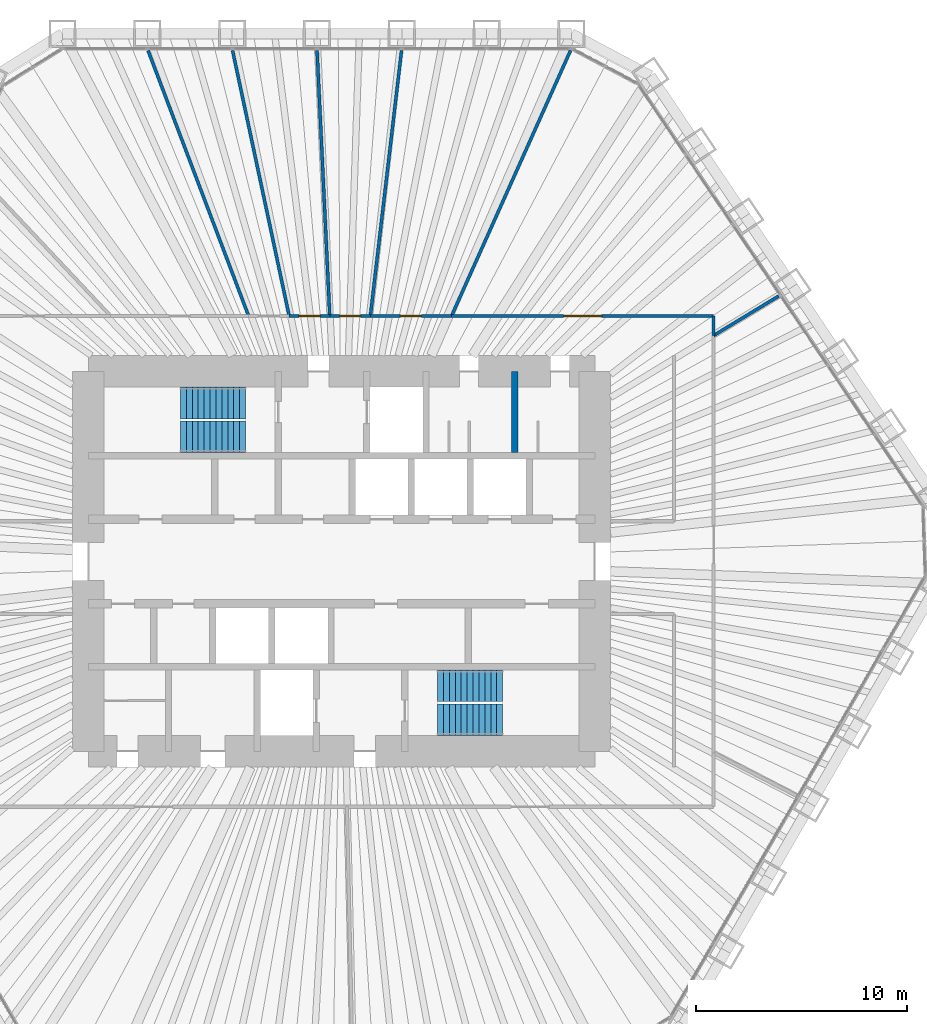
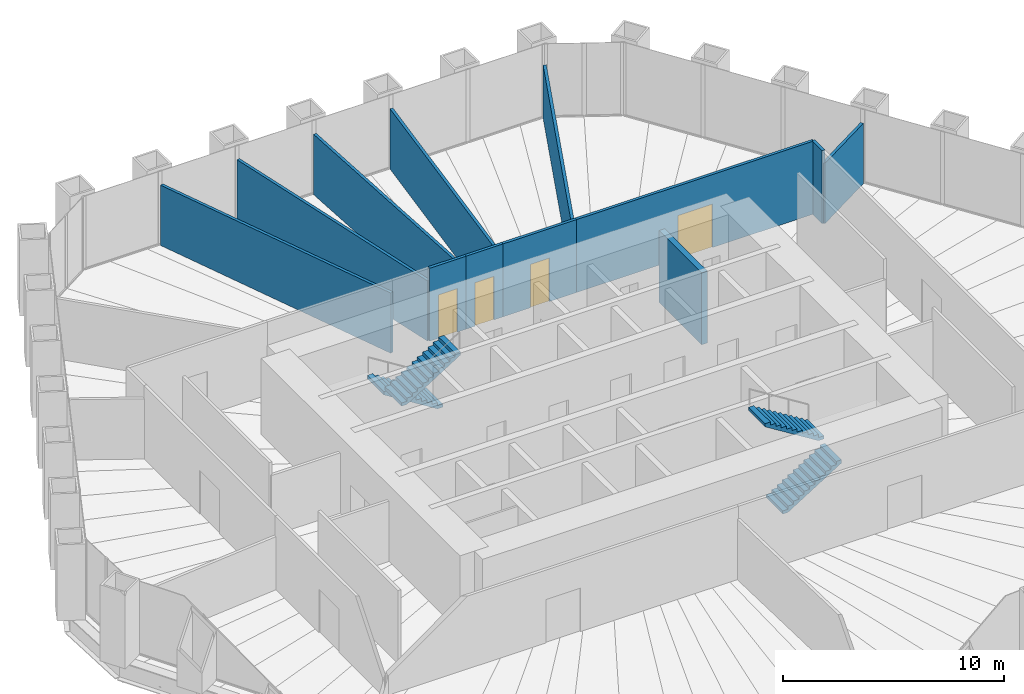
# One storey, part 12 of 13: 12 walls, 4 doors, 4 stair flights, 4 openings, 2 elements without a shape of their own.
"""IFC4 building model written with IfcOpenShell, lengths in metres."""

import ifcopenshell
import ifcopenshell.guid

model = None  # the IFC model being written
_history = None  # IfcOwnerHistory: only IFC2X3 demands one
_inside = {}  # id of a spatial element -> (the spatial element, [elements in it])
_under = {}  # id of a project, library or spatial element -> (it, [spatial elements below it])
_declared = {}  # id of a project -> (the project, [libraries it declares])
_typed = {}  # id of a type object -> (the type object, [elements of that type])
_made_of = {}  # id of a material, layer set ... -> (it, [elements and type objects made of it])


def new_model(schema):
    """Start an empty IFC model of exactly this schema.

    Asked for "IFC4X3", IfcOpenShell would pick the latest addendum, in which some entities
    have other attributes; the version numbers below select the first issue.
    IFC2X3 requires an IfcOwnerHistory on every rooted entity: one is made here for all.
    """
    global model, _history
    if schema == "IFC4X3":
        model = ifcopenshell.file(schema_version=(4, 3, 0, 0))
    else:
        model = ifcopenshell.file(schema=schema)
    _inside.clear()
    _under.clear()
    _declared.clear()
    _typed.clear()
    _made_of.clear()
    _history = None
    if model.schema == "IFC2X3":
        org = make("IfcOrganization", Name="unknown")
        user = make(
            "IfcPersonAndOrganization",
            ThePerson=make("IfcPerson", FamilyName="unknown"),
            TheOrganization=org,
        )
        app = make(
            "IfcApplication",
            ApplicationDeveloper=org,
            Version="unknown",
            ApplicationFullName="unknown",
            ApplicationIdentifier="unknown",
        )
        _history = make(
            "IfcOwnerHistory",
            OwningUser=user,
            OwningApplication=app,
            ChangeAction="ADDED",
            CreationDate=0,
        )
    return model


def make(cls, **values):
    """One entity of the class cls with the attributes given. An attribute that is None is left unset."""
    return model.create_entity(
        cls, **{name: value for name, value in values.items() if value is not None}
    )


def rooted(cls, **values):
    """An entity with a GlobalId (a new one), such as an element, a storey or a relation."""
    return make(cls, GlobalId=ifcopenshell.guid.new(), OwnerHistory=_history, **values)


def si_unit(unit_type, name, prefix=None):
    """IfcSIUnit, for example si_unit("LENGTHUNIT", "METRE", prefix="MILLI")."""
    return make("IfcSIUnit", UnitType=unit_type, Prefix=prefix, Name=name)


def assignment(units):
    """IfcUnitAssignment: the units of a project."""
    return None if units is None else make("IfcUnitAssignment", Units=units)


def point(xyz):
    """IfcCartesianPoint."""
    return None if xyz is None else make("IfcCartesianPoint", Coordinates=xyz)


def direction(xyz):
    """IfcDirection."""
    return None if xyz is None else make("IfcDirection", DirectionRatios=xyz)


def frame(location, z_axis=None, x_axis=None):
    """IfcAxis2Placement3D, a coordinate frame: its origin and axes. An axis left out is left unset."""
    return make(
        "IfcAxis2Placement3D",
        Location=point(location),
        Axis=direction(z_axis),
        RefDirection=direction(x_axis),
    )


def frame_2d(location, x_axis=None):
    """IfcAxis2Placement2D, a coordinate frame in the plane: its origin and x axis."""
    return make(
        "IfcAxis2Placement2D", Location=point(location), RefDirection=direction(x_axis)
    )


def origin():
    """The frame at (0, 0, 0) with its axes left unset."""
    return frame((0.0, 0.0, 0.0))


def place(relative_to, where):
    """IfcLocalPlacement: puts the frame where relative to a parent placement (None: the world)."""
    return make(
        "IfcLocalPlacement", PlacementRelTo=relative_to, RelativePlacement=where
    )


def context(
    kind, dimensions, precision=None, world=None, true_north=None, identifier=None
):
    """IfcGeometricRepresentationContext, for example the 3D "Model" context."""
    return make(
        "IfcGeometricRepresentationContext",
        ContextIdentifier=identifier,
        ContextType=kind,
        CoordinateSpaceDimension=dimensions,
        Precision=precision,
        WorldCoordinateSystem=world,
        TrueNorth=true_north,
    )


def subcontext(parent, identifier, kind, view, scale=None):
    """IfcGeometricRepresentationSubContext, for example "Body" below "Model"."""
    return make(
        "IfcGeometricRepresentationSubContext",
        ContextIdentifier=identifier,
        ContextType=kind,
        ParentContext=parent,
        TargetScale=scale,
        TargetView=view,
    )


def project(units=None, contexts=None):
    """IfcProject with its units and contexts."""
    return rooted(
        "IfcProject",
        Name="project",
        RepresentationContexts=contexts,
        UnitsInContext=assignment(units),
    )


def spatial(cls, under=None, at=None, **own):
    """A site, building, storey or space (cls), placed at a placement, below another one or the project."""
    s = rooted(cls, ObjectPlacement=at, **own)
    if under is not None:
        _under.setdefault(under.id(), (under, []))[1].append(s)
    return s


def polyline(points):
    """IfcPolyline through the points."""
    return make("IfcPolyline", Points=[point(p) for p in points])


def profile(cls, at=None, kind="AREA", **sizes):
    """A parametric profile (cls). Its sizes go by their IFC names, for example OverallWidth=200.0."""
    return make(cls, ProfileType=kind, Position=at, **sizes)


def rectangle(**sizes):
    """IfcRectangleProfileDef."""
    return profile("IfcRectangleProfileDef", **sizes)


def outline(outer, holes=None, kind="AREA"):
    """IfcArbitraryClosedProfileDef: a profile drawn as a closed curve; with holes, ...WithVoids."""
    if holes is None:
        return make("IfcArbitraryClosedProfileDef", ProfileType=kind, OuterCurve=outer)
    return make(
        "IfcArbitraryProfileDefWithVoids",
        ProfileType=kind,
        OuterCurve=outer,
        InnerCurves=holes,
    )


def extrude(swept, where, along, depth):
    """IfcExtrudedAreaSolid: the profile swept, set in the frame where, extruded along a direction by depth."""
    return make(
        "IfcExtrudedAreaSolid",
        SweptArea=swept,
        Position=where,
        ExtrudedDirection=direction(along),
        Depth=depth,
    )


def shape(context_of_items, identifier, shape_type, items):
    """IfcShapeRepresentation: the items that make up one representation, for example the "Body"."""
    return make(
        "IfcShapeRepresentation",
        ContextOfItems=context_of_items,
        RepresentationIdentifier=identifier,
        RepresentationType=shape_type,
        Items=items,
    )


def material(Name=None, Category=None):
    """IfcMaterial."""
    return make("IfcMaterial", Name=Name, Category=Category)


def layer(
    of_material, thickness, ventilated=None, Name=None, Category=None, Priority=None
):
    """IfcMaterialLayer: one layer of a wall or slab, of a material (None: an air gap)."""
    return make(
        "IfcMaterialLayer",
        Material=of_material,
        LayerThickness=thickness,
        IsVentilated=ventilated,
        Name=Name,
        Category=Category,
        Priority=Priority,
    )


def layer_set(layers, Name=None):
    """IfcMaterialLayerSet."""
    return make("IfcMaterialLayerSet", MaterialLayers=layers, LayerSetName=Name)


def made_of(thing, what):
    """Note that an element or type object is made of a material, layer set ...; save() writes the relation."""
    if what is not None:
        _made_of.setdefault(what.id(), (what, []))[1].append(thing)
    return thing


def type_object(cls, material=None, **own):
    """A type object (cls), such as IfcWallType, which elements share."""
    return made_of(rooted(cls, **own), material)


def element(
    cls,
    number,
    at=None,
    inside=None,
    cuts=None,
    type_object=None,
    material=None,
    context=None,
    identifier="Body",
    shape_type=None,
    held_by="IfcProductDefinitionShape",
    body=None,
    shapes=None,
    **own,
):
    """One element of the class cls, such as IfcWall. Its Tag is "e" and its number.

    at: its placement. inside: the storey or other place that contains it. cuts: it is an
    opening in that element (IfcRelVoidsElement). A single representation is given by context,
    identifier, shape_type and body (its items); several are given by shapes. held_by: the class
    of the entity that holds the representations. save() writes the other relations.
    """
    e = rooted(cls, Tag="e%d" % number, ObjectPlacement=at, **own)
    if body is not None:
        shapes = [shape(context, identifier, shape_type, body)]
    if shapes is not None:
        e.Representation = make(held_by, Representations=shapes)
    if inside is not None:
        _inside.setdefault(inside.id(), (inside, []))[1].append(e)
    if cuts is not None:
        rooted(
            "IfcRelVoidsElement", RelatingBuildingElement=cuts, RelatedOpeningElement=e
        )
    if type_object is not None:
        _typed.setdefault(type_object.id(), (type_object, []))[1].append(e)
    return made_of(e, material)


def fill(opening, filler):
    """IfcRelFillsElement: the door or window that sits in an opening."""
    return rooted(
        "IfcRelFillsElement",
        RelatingOpeningElement=opening,
        RelatedBuildingElement=filler,
    )


def aggregate(whole, parts):
    """IfcRelAggregates: a whole, such as a stair, and the parts it consists of."""
    return rooted("IfcRelAggregates", RelatingObject=whole, RelatedObjects=parts)


def save(model, path):
    """Write the relations noted so far, then the file.

    IfcRelAggregates (storeys below a building ...), IfcRelContainedInSpatialStructure (elements
    in a storey), IfcRelDefinesByType, IfcRelAssociatesMaterial and IfcRelDeclares: one each for
    every whole, place, type object, material and project.
    """
    for whole, parts in _under.values():
        aggregate(whole, parts)
    for where, things in _inside.values():
        rooted(
            "IfcRelContainedInSpatialStructure",
            RelatedElements=things,
            RelatingStructure=where,
        )
    for kind, things in _typed.values():
        rooted("IfcRelDefinesByType", RelatedObjects=things, RelatingType=kind)
    for what, things in _made_of.values():
        rooted("IfcRelAssociatesMaterial", RelatedObjects=things, RelatingMaterial=what)
    for by, libraries in _declared.values():
        rooted("IfcRelDeclares", RelatingContext=by, RelatedDefinitions=libraries)
    model.write(path)


model = new_model("IFC4")

# Units and contexts
model_context = context("Model", 3, precision=1e-05, world=origin(), true_north=direction((0.0, 1.0)))
body_context = subcontext(model_context, "Body", "Model", "MODEL_VIEW")
ifc_project = project(units=[si_unit("LENGTHUNIT", "METRE"), si_unit("AREAUNIT", "SQUARE_METRE"), si_unit("VOLUMEUNIT", "CUBIC_METRE"), si_unit("PLANEANGLEUNIT", "RADIAN"), si_unit("MASSUNIT", "GRAM", prefix="KILO")], contexts=[model_context])

# Site, building, storey
site_placement = place(None, origin())
site = spatial("IfcSite", under=ifc_project, at=site_placement, CompositionType="ELEMENT")
building_placement = place(site_placement, origin())
building = spatial("IfcBuilding", under=site, at=building_placement, Name="Qingtian Harvest Tower", CompositionType="ELEMENT")
storey_placement = place(building_placement, frame((0.0, 0.0, 145.0)))
storey = spatial("IfcBuildingStorey", under=building, at=storey_placement, Name="L30", CompositionType="ELEMENT", Elevation=145.0)

# Walls
ifc_material_1 = material(Name="Precast concrete shaft panel", Category="concrete")
ifc_layer_1 = layer(ifc_material_1, 0.300048828125)
ifc_layer_set_1 = layer_set([ifc_layer_1], Name="Core shaft partition SW1 300")
wall_type_1 = type_object("IfcWallType", Name="Core shaft partition SW1 300", PredefinedType="PARTITIONING", material=ifc_layer_set_1)
wall_1_placement = place(storey_placement, frame((8.199951171875, 5.14990234375, 0.0), z_axis=(0.0, 0.0, 1.0), x_axis=(0.0, 1.0, 0.0)))
element("IfcWall", 1, at=wall_1_placement, inside=storey, type_object=wall_type_1, Name="Core shaft partition XN4 L30", PredefinedType="PARTITIONING", context=body_context, shape_type="SweptSolid", body=[
    extrude(rectangle(XDim=3.85009765625, YDim=0.300048828125, at=frame_2d((1.925048828125, 0.0))), origin(), (0.0, 0.0, 1.0), 3.97998046875),
])
ifc_material_2 = material(Name="Gypsum board on steel studs", Category="steel")
ifc_layer_2 = layer(ifc_material_2, 0.14990234375)
ifc_layer_set_2 = layer_set([ifc_layer_2], Name="Partition PT1 150")
wall_type_2 = type_object("IfcWallType", Name="Partition PT1 150", PredefinedType="PARTITIONING", material=ifc_layer_set_2)
wall_2_placement = place(storey_placement, frame((20.71142578125, 12.571044921875, 0.0), z_axis=(0.0, 0.0, 1.0), x_axis=(-0.854862500505, -0.518854608952, 0.0)))
element("IfcWall", 2, at=wall_2_placement, inside=storey, type_object=wall_type_2, Name="Office suite wall L30", PredefinedType="PARTITIONING", context=body_context, shape_type="SweptSolid", body=[
    extrude(rectangle(XDim=3.6103515625, YDim=0.14990234375, at=frame_2d((1.80517578125, 0.0))), origin(), (0.0, 0.0, 1.0), 3.330078125),
])
wall_3_placement = place(storey_placement, frame((-9.167236328125, 24.20654296875, 0.0), z_axis=(0.0, 0.0, 1.0), x_axis=(0.354156368181, -0.935186220427, 0.0)))
element("IfcWall", 3, at=wall_3_placement, inside=storey, type_object=wall_type_2, Name="Print room wall L30", PredefinedType="PARTITIONING", context=body_context, shape_type="SweptSolid", body=[
    extrude(rectangle(XDim=13.45361328125, YDim=0.14990234375, at=frame_2d((6.726806640625, 0.0))), origin(), (0.0, 0.0, 1.0), 3.330078125),
])
wall_4_placement = place(storey_placement, frame((-5.16259765625, 24.2021484375, 0.0), z_axis=(0.0, 0.0, 1.0), x_axis=(0.208618861146, -0.977997019819, 0.0)))
element("IfcWall", 4, at=wall_4_placement, inside=storey, type_object=wall_type_2, Name="Store room wall L30", PredefinedType="PARTITIONING", context=body_context, shape_type="SweptSolid", body=[
    extrude(rectangle(XDim=12.860107421875, YDim=0.14990234375, at=frame_2d((6.43017578125, 0.0))), origin(), (0.0, 0.0, 1.0), 3.330078125),
])

# Wall, opening, door
wall_5_placement = place(storey_placement, frame((-2.479736328125, 11.625, 0.0), z_axis=(0.0, 0.0, 1.0), x_axis=(1.0, 0.0, 0.0)))
wall_5 = element("IfcWall", 5, at=wall_5_placement, inside=storey, type_object=wall_type_2, Name="Store room wall L30", PredefinedType="PARTITIONING", context=body_context, shape_type="SweptSolid", body=[
    extrude(rectangle(XDim=1.922607421875, YDim=0.14990234375, at=frame_2d((0.96142578125, 0.0))), origin(), (0.0, 0.0, 1.0), 4.030029296875),
])
opening_1_placement = place(wall_5_placement, frame((0.46142578125, 0.0, 0.0)))
opening_1 = element("IfcOpeningElement", 6, at=opening_1_placement, cuts=wall_5, Name="Opening D2", PredefinedType="OPENING", context=body_context, shape_type="SweptSolid", body=[
    extrude(rectangle(XDim=1.0, YDim=2.39990234375, at=frame_2d((0.5, 1.199951171875))), frame((0.0, 0.0849609375, 0.0), z_axis=(0.0, -1.0, 0.0), x_axis=(1.0, 0.0, 0.0)), (0.0, 0.0, 1.0), 0.169921875),
])
ifc_material_3 = material(Name="Laminated timber door leaf", Category="wood")
door_type_1 = type_object("IfcDoorType", Name="Room door D2 single", OperationType="SINGLE_SWING_LEFT", PredefinedType="DOOR", material=ifc_material_3)
door_1_placement = place(opening_1_placement, origin())
door_1 = element("IfcDoor", 7, at=door_1_placement, inside=storey, type_object=door_type_1, Name="Store room door L30", OperationType="SINGLE_SWING_RIGHT", OverallHeight=2.39990234375, OverallWidth=1.0, PredefinedType="DOOR", context=body_context, shape_type="SweptSolid", body=[
    extrude(rectangle(XDim=1.0, YDim=2.39990234375, at=frame_2d((0.5, 1.199951171875))), frame((0.0, 0.02490234375, 0.0), z_axis=(0.0, -1.0, 0.0), x_axis=(1.0, 0.0, 0.0)), (0.0, 0.0, 1.0), 0.050048828125),
])
fill(opening_1, door_1)

# Wall
wall_6_placement = place(storey_placement, frame((-1.15966796875, 24.2001953125, 0.0), z_axis=(0.0, 0.0, 1.0), x_axis=(0.047859979164, -0.998854054602, 0.0)))
element("IfcWall", 8, at=wall_6_placement, inside=storey, type_object=wall_type_2, Name="Focus room wall L30", PredefinedType="PARTITIONING", context=body_context, shape_type="SweptSolid", body=[
    extrude(rectangle(XDim=12.589599609375, YDim=0.14990234375, at=frame_2d((6.294921875, 0.0))), origin(), (0.0, 0.0, 1.0), 3.330078125),
])

# Wall, opening, door
wall_7_placement = place(storey_placement, frame((-0.55712890625, 11.625, 0.0), z_axis=(0.0, 0.0, 1.0), x_axis=(1.0, 0.0, 0.0)))
wall_7 = element("IfcWall", 9, at=wall_7_placement, inside=storey, type_object=wall_type_2, Name="Focus room wall L30", PredefinedType="PARTITIONING", context=body_context, shape_type="SweptSolid", body=[
    extrude(rectangle(XDim=1.9228515625, YDim=0.14990234375, at=frame_2d((0.96142578125, 0.0))), origin(), (0.0, 0.0, 1.0), 4.030029296875),
])
opening_2_placement = place(wall_7_placement, frame((0.46142578125, 0.0, 0.0)))
opening_2 = element("IfcOpeningElement", 10, at=opening_2_placement, cuts=wall_7, Name="Opening D2", PredefinedType="OPENING", context=body_context, shape_type="SweptSolid", body=[
    extrude(rectangle(XDim=1.0, YDim=2.39990234375, at=frame_2d((0.5, 1.199951171875))), frame((0.0, 0.0849609375, 0.0), z_axis=(0.0, -1.0, 0.0), x_axis=(1.0, 0.0, 0.0)), (0.0, 0.0, 1.0), 0.169921875),
])
door_2_placement = place(opening_2_placement, origin())
door_2 = element("IfcDoor", 11, at=door_2_placement, inside=storey, type_object=door_type_1, Name="Focus room door L30", OperationType="SINGLE_SWING_RIGHT", OverallHeight=2.39990234375, OverallWidth=1.0, PredefinedType="DOOR", context=body_context, shape_type="SweptSolid", body=[
    extrude(rectangle(XDim=1.0, YDim=2.39990234375, at=frame_2d((0.5, 1.199951171875))), frame((0.0, 0.02490234375, 0.0), z_axis=(0.0, -1.0, 0.0), x_axis=(1.0, 0.0, 0.0)), (0.0, 0.0, 1.0), 0.050048828125),
])
fill(opening_2, door_2)

# Wall
wall_8_placement = place(storey_placement, frame((2.843017578125, 24.20068359375, 0.0), z_axis=(0.0, 0.0, 1.0), x_axis=(-0.116670084723, -0.993170726175, 0.0)))
element("IfcWall", 12, at=wall_8_placement, inside=storey, type_object=wall_type_2, Name="Office suite wall L30", PredefinedType="PARTITIONING", context=body_context, shape_type="SweptSolid", body=[
    extrude(rectangle(XDim=12.662109375, YDim=0.14990234375, at=frame_2d((6.3310546875, 0.0))), origin(), (0.0, 0.0, 1.0), 3.330078125),
])

# Wall, opening, door
wall_9_placement = place(storey_placement, frame((1.36572265625, 11.625, 0.0), z_axis=(0.0, 0.0, 1.0), x_axis=(1.0, 0.0, 0.0)))
wall_9 = element("IfcWall", 13, at=wall_9_placement, inside=storey, type_object=wall_type_2, Name="Office suite wall L30", PredefinedType="PARTITIONING", context=body_context, shape_type="SweptSolid", body=[
    extrude(rectangle(XDim=3.84521484375, YDim=0.14990234375, at=frame_2d((1.922607421875, 0.0))), origin(), (0.0, 0.0, 1.0), 4.030029296875),
])
opening_3_placement = place(wall_9_placement, frame((1.422607421875, 0.0, 0.0)))
opening_3 = element("IfcOpeningElement", 14, at=opening_3_placement, cuts=wall_9, Name="Opening D2", PredefinedType="OPENING", context=body_context, shape_type="SweptSolid", body=[
    extrude(rectangle(XDim=1.0, YDim=2.39990234375, at=frame_2d((0.5, 1.199951171875))), frame((0.0, 0.0849609375, 0.0), z_axis=(0.0, -1.0, 0.0), x_axis=(1.0, 0.0, 0.0)), (0.0, 0.0, 1.0), 0.169921875),
])
door_3_placement = place(opening_3_placement, origin())
door_3 = element("IfcDoor", 15, at=door_3_placement, inside=storey, type_object=door_type_1, Name="Office suite door L30", OperationType="SINGLE_SWING_RIGHT", OverallHeight=2.39990234375, OverallWidth=1.0, PredefinedType="DOOR", context=body_context, shape_type="SweptSolid", body=[
    extrude(rectangle(XDim=1.0, YDim=2.39990234375, at=frame_2d((0.5, 1.199951171875))), frame((0.0, 0.02490234375, 0.0), z_axis=(0.0, -1.0, 0.0), x_axis=(1.0, 0.0, 0.0)), (0.0, 0.0, 1.0), 0.050048828125),
])
fill(opening_3, door_3)

# Wall
wall_10_placement = place(storey_placement, frame((10.851806640625, 24.208740234375, 0.0), z_axis=(0.0, 0.0, 1.0), x_axis=(-0.40904878746, -0.912512514696, 0.0)))
element("IfcWall", 16, at=wall_10_placement, inside=storey, type_object=wall_type_2, Name="Meeting room wall L30", PredefinedType="PARTITIONING", context=body_context, shape_type="SweptSolid", body=[
    extrude(rectangle(XDim=13.790283203125, YDim=0.14990234375, at=frame_2d((6.89501953125, 0.0))), origin(), (0.0, 0.0, 1.0), 2.929931640625),
])

# Wall, opening, door
wall_11_placement = place(storey_placement, frame((5.2109375, 11.625, 0.0), z_axis=(0.0, 0.0, 1.0), x_axis=(1.0, 0.0, 0.0)))
wall_11 = element("IfcWall", 17, at=wall_11_placement, inside=storey, type_object=wall_type_2, Name="Meeting room wall L30", PredefinedType="PARTITIONING", context=body_context, shape_type="SweptSolid", body=[
    extrude(rectangle(XDim=12.4140625, YDim=0.14990234375, at=frame_2d((6.20703125, 0.0))), origin(), (0.0, 0.0, 1.0), 4.030029296875),
])
opening_4_placement = place(wall_11_placement, frame((5.306884765625, 0.0, 0.0)))
opening_4 = element("IfcOpeningElement", 18, at=opening_4_placement, cuts=wall_11, Name="Opening D3", PredefinedType="OPENING", context=body_context, shape_type="SweptSolid", body=[
    extrude(rectangle(XDim=1.800048828125, YDim=2.39990234375, at=frame_2d((0.89990234375, 1.199951171875))), frame((0.0, 0.0849609375, 0.0), z_axis=(0.0, -1.0, 0.0), x_axis=(1.0, 0.0, 0.0)), (0.0, 0.0, 1.0), 0.169921875),
])
ifc_material_4 = material(Name="Laminated timber door leaf", Category="wood")
door_type_2 = type_object("IfcDoorType", Name="Room door D3 double", OperationType="DOUBLE_DOOR_DOUBLE_SWING", PredefinedType="DOOR", material=ifc_material_4)
door_4_placement = place(opening_4_placement, origin())
door_4 = element("IfcDoor", 19, at=door_4_placement, inside=storey, type_object=door_type_2, Name="Meeting room door L30", OperationType="DOUBLE_DOOR_DOUBLE_SWING", OverallHeight=2.39990234375, OverallWidth=1.800048828125, PredefinedType="DOOR", context=body_context, shape_type="SweptSolid", body=[
    extrude(rectangle(XDim=1.800048828125, YDim=2.39990234375, at=frame_2d((0.89990234375, 1.199951171875))), frame((0.0, 0.02490234375, 0.0), z_axis=(0.0, -1.0, 0.0), x_axis=(1.0, 0.0, 0.0)), (0.0, 0.0, 1.0), 0.050048828125),
])
fill(opening_4, door_4)

# Wall
wall_12_placement = place(storey_placement, frame((17.625, 11.625, 0.0), z_axis=(0.0, 0.0, 1.0), x_axis=(0.0, -1.0, 0.0)))
element("IfcWall", 20, at=wall_12_placement, inside=storey, type_object=wall_type_2, Name="Meeting room wall L30", PredefinedType="PARTITIONING", context=body_context, shape_type="SweptSolid", body=[
    extrude(rectangle(XDim=0.92724609375, YDim=0.14990234375, at=frame_2d((0.463623046875, 0.0))), origin(), (0.0, 0.0, 1.0), 4.030029296875),
])

# Stair, stair flights
ifc_material_5 = material(Name="Concrete fc' 35 MPa", Category="concrete")
stair_type = type_object("IfcStairType", Name="Special stair ST3 4200", PredefinedType="HALF_TURN_STAIR", material=ifc_material_5)
stair_1_placement = place(storey_placement, origin())
stair_1 = element("IfcStair", 21, at=stair_1_placement, inside=storey, type_object=stair_type, Name="Special stair S1 L30", PredefinedType="HALF_TURN_STAIR")
ifc_material_6 = material(Name="Concrete fc' 35 MPa", Category="concrete")
stair_flight_type = type_object("IfcStairFlightType", Name="Stair flight SF3 4200", PredefinedType="STRAIGHT", material=ifc_material_6)
stair_flight_1_placement = place(storey_placement, frame((-4.550048828125, 7.5, 0.0), z_axis=(0.0, 0.0, 1.0), x_axis=(-1.0, 0.0, 0.0)))
stair_flight_1 = element("IfcStairFlight", 22, at=stair_flight_1_placement, type_object=stair_flight_type, Name="S1 flight 1", NumberOfRisers=12, NumberOfTreads=11, PredefinedType="STRAIGHT", RiserHeight=0.175, TreadLength=0.28, context=body_context, shape_type="SweptSolid", body=[
    extrude(outline(polyline([(0.0, 0.0), (0.0, 0.175048828125), (0.280029296875, 0.175048828125), (0.280029296875, 0.35009765625), (0.56005859375, 0.35009765625), (0.56005859375, 0.52490234375), (0.840087890625, 0.52490234375), (0.840087890625, 0.699951171875), (1.1201171875, 0.699951171875), (1.1201171875, 0.875), (1.39990234375, 0.875), (1.39990234375, 1.050048828125), (1.679931640625, 1.050048828125), (1.679931640625, 1.22509765625), (1.9599609375, 1.22509765625), (1.9599609375, 1.39990234375), (2.239990234375, 1.39990234375), (2.239990234375, 1.574951171875), (2.52001953125, 1.574951171875), (2.52001953125, 1.75), (2.800048828125, 1.75), (2.800048828125, 1.925048828125), (3.080078125, 1.925048828125), (3.080078125, 2.10009765625), (3.080078125, 1.748291015625), (0.28271484375, 0.0), (0.0, 0.0)])), frame((0.0, 0.75, 0.0), z_axis=(0.0, -1.0, 0.0), x_axis=(1.0, 0.0, 0.0)), (0.0, 0.0, 1.0), 1.5),
])
stair_flight_2_placement = place(storey_placement, frame((-7.6298828125, 5.89990234375, 2.10009765625), z_axis=(0.0, 0.0, 1.0), x_axis=(1.0, 0.0, 0.0)))
stair_flight_2 = element("IfcStairFlight", 23, at=stair_flight_2_placement, type_object=stair_flight_type, Name="S1 flight 2", NumberOfRisers=12, NumberOfTreads=11, PredefinedType="STRAIGHT", RiserHeight=0.175, TreadLength=0.28, context=body_context, shape_type="SweptSolid", body=[
    extrude(outline(polyline([(0.0, 0.0), (0.0, 0.175048828125), (0.280029296875, 0.175048828125), (0.280029296875, 0.35009765625), (0.56005859375, 0.35009765625), (0.56005859375, 0.52490234375), (0.840087890625, 0.52490234375), (0.840087890625, 0.699951171875), (1.1201171875, 0.699951171875), (1.1201171875, 0.875), (1.39990234375, 0.875), (1.39990234375, 1.050048828125), (1.679931640625, 1.050048828125), (1.679931640625, 1.22509765625), (1.9599609375, 1.22509765625), (1.9599609375, 1.39990234375), (2.239990234375, 1.39990234375), (2.239990234375, 1.574951171875), (2.52001953125, 1.574951171875), (2.52001953125, 1.75), (2.800048828125, 1.75), (2.800048828125, 1.925048828125), (3.080078125, 1.925048828125), (3.080078125, 2.10009765625), (3.080078125, 1.748291015625), (0.28271484375, 0.0), (0.0, 0.0)])), frame((0.0, 0.75, 0.0), z_axis=(0.0, -1.0, 0.0), x_axis=(1.0, 0.0, 0.0)), (0.0, 0.0, 1.0), 1.5),
])
aggregate(stair_1, [stair_flight_1, stair_flight_2])

stair_2_placement = place(storey_placement, origin())
stair_2 = element("IfcStair", 24, at=stair_2_placement, inside=storey, type_object=stair_type, Name="Special stair S2 L30", PredefinedType="HALF_TURN_STAIR")
stair_flight_3_placement = place(storey_placement, frame((4.550048828125, -7.5, 0.0), z_axis=(0.0, 0.0, 1.0), x_axis=(1.0, 0.0, 0.0)))
stair_flight_3 = element("IfcStairFlight", 25, at=stair_flight_3_placement, type_object=stair_flight_type, Name="S2 flight 1", NumberOfRisers=12, NumberOfTreads=11, PredefinedType="STRAIGHT", RiserHeight=0.175, TreadLength=0.28, context=body_context, shape_type="SweptSolid", body=[
    extrude(outline(polyline([(0.0, 0.0), (0.0, 0.175048828125), (0.280029296875, 0.175048828125), (0.280029296875, 0.35009765625), (0.56005859375, 0.35009765625), (0.56005859375, 0.52490234375), (0.840087890625, 0.52490234375), (0.840087890625, 0.699951171875), (1.1201171875, 0.699951171875), (1.1201171875, 0.875), (1.39990234375, 0.875), (1.39990234375, 1.050048828125), (1.679931640625, 1.050048828125), (1.679931640625, 1.22509765625), (1.9599609375, 1.22509765625), (1.9599609375, 1.39990234375), (2.239990234375, 1.39990234375), (2.239990234375, 1.574951171875), (2.52001953125, 1.574951171875), (2.52001953125, 1.75), (2.800048828125, 1.75), (2.800048828125, 1.925048828125), (3.080078125, 1.925048828125), (3.080078125, 2.10009765625), (3.080078125, 1.748291015625), (0.28271484375, 0.0), (0.0, 0.0)])), frame((0.0, 0.75, 0.0), z_axis=(0.0, -1.0, 0.0), x_axis=(1.0, 0.0, 0.0)), (0.0, 0.0, 1.0), 1.5),
])
stair_flight_4_placement = place(storey_placement, frame((7.6298828125, -5.89990234375, 2.10009765625), z_axis=(0.0, 0.0, 1.0), x_axis=(-1.0, 0.0, 0.0)))
stair_flight_4 = element("IfcStairFlight", 26, at=stair_flight_4_placement, type_object=stair_flight_type, Name="S2 flight 2", NumberOfRisers=12, NumberOfTreads=11, PredefinedType="STRAIGHT", RiserHeight=0.175, TreadLength=0.28, context=body_context, shape_type="SweptSolid", body=[
    extrude(outline(polyline([(0.0, 0.0), (0.0, 0.175048828125), (0.280029296875, 0.175048828125), (0.280029296875, 0.35009765625), (0.56005859375, 0.35009765625), (0.56005859375, 0.52490234375), (0.840087890625, 0.52490234375), (0.840087890625, 0.699951171875), (1.1201171875, 0.699951171875), (1.1201171875, 0.875), (1.39990234375, 0.875), (1.39990234375, 1.050048828125), (1.679931640625, 1.050048828125), (1.679931640625, 1.22509765625), (1.9599609375, 1.22509765625), (1.9599609375, 1.39990234375), (2.239990234375, 1.39990234375), (2.239990234375, 1.574951171875), (2.52001953125, 1.574951171875), (2.52001953125, 1.75), (2.800048828125, 1.75), (2.800048828125, 1.925048828125), (3.080078125, 1.925048828125), (3.080078125, 2.10009765625), (3.080078125, 1.748291015625), (0.28271484375, 0.0), (0.0, 0.0)])), frame((0.0, 0.75, 0.0), z_axis=(0.0, -1.0, 0.0), x_axis=(1.0, 0.0, 0.0)), (0.0, 0.0, 1.0), 1.5),
])
aggregate(stair_2, [stair_flight_3, stair_flight_4])

save(model, "model.ifc")
